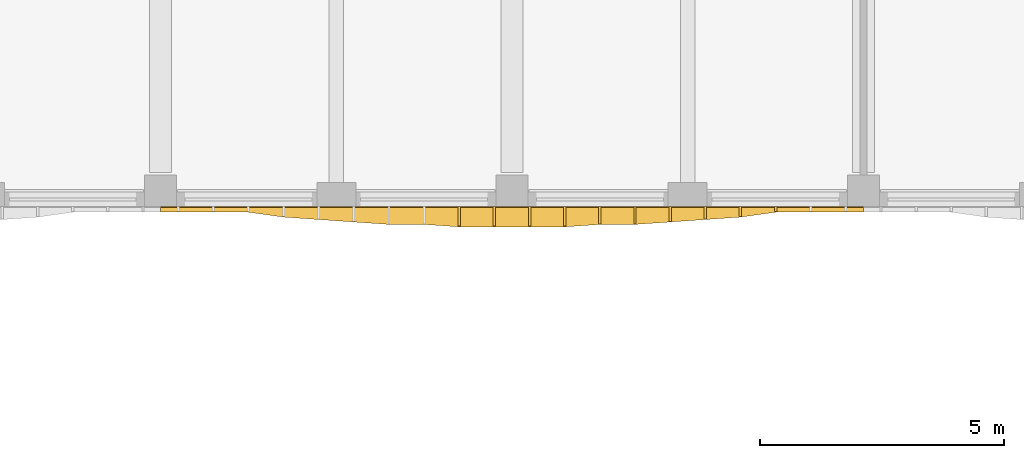
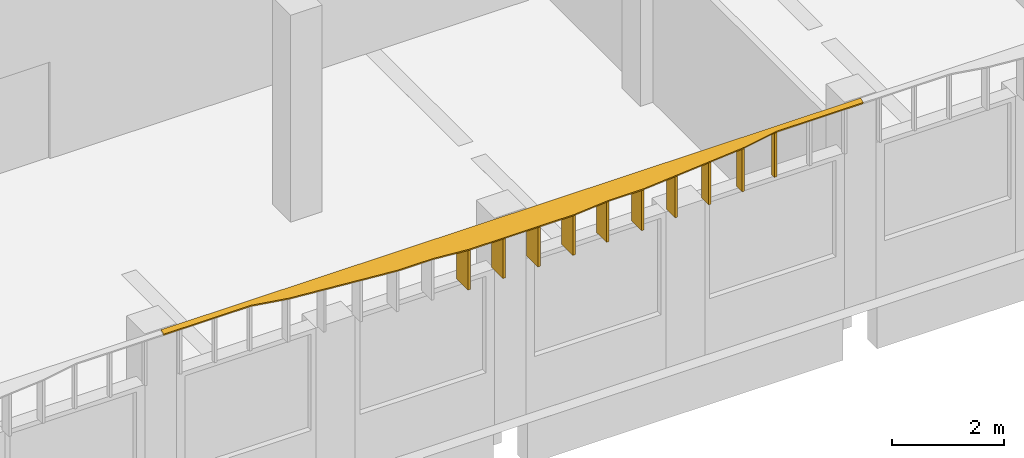
# One storey, part 47 of 58: 11 shading devices.
"""IFC4 building model written with IfcOpenShell, lengths in metres."""

from ifc_helpers import new_model, si_unit, direction, frame, origin, place, context, subcontext, project, spatial, polyline, outline, extrude, material, layer, layer_set, type_object, element, save


model = new_model("IFC4")

# Units and contexts
model_context = context("Model", 3, precision=1e-05, world=origin(), true_north=direction((0.0, 1.0)))
body_context = subcontext(model_context, "Body", "Model", "MODEL_VIEW")
ifc_project = project(units=[si_unit("LENGTHUNIT", "METRE"), si_unit("AREAUNIT", "SQUARE_METRE"), si_unit("VOLUMEUNIT", "CUBIC_METRE"), si_unit("PLANEANGLEUNIT", "RADIAN"), si_unit("MASSUNIT", "GRAM", prefix="KILO")], contexts=[model_context])

# Site, building, storey
site_placement = place(None, origin())
site = spatial("IfcSite", under=ifc_project, at=site_placement, CompositionType="ELEMENT")
building_placement = place(site_placement, origin())
building = spatial("IfcBuilding", under=site, at=building_placement, Name="Ussher Court Research Institute", CompositionType="ELEMENT")
storey_placement = place(building_placement, frame((0.0, 0.0, 9.89990234375)))
storey = spatial("IfcBuildingStorey", under=building, at=storey_placement, Name="L02", CompositionType="ELEMENT", Elevation=9.89990234375)

# Shading devices
ifc_material_1 = material(Name="Bronze anodised aluminium", Category="aluminium")
ifc_layer_1 = layer(ifc_material_1, 0.050048828125)
ifc_layer_set_1 = layer_set([ifc_layer_1], Name="Bronze anodised aluminium")
shading_device_type_1 = type_object("IfcShadingDeviceType", Name="Brim blade 100 mm deep 1000 mm high canted 20 deg dry", PredefinedType="USERDEFINED", material=ifc_layer_set_1)
shading_device_1_placement = place(storey_placement, frame((66.0, 68.39990234375, 3.4501953125), z_axis=(0.0, 0.0, 1.0), x_axis=(0.0, -1.0, 0.0)))
element("IfcShadingDevice", 1, at=shading_device_1_placement, inside=storey, type_object=shading_device_type_1, Name="Brim blade BS17 L02", ObjectType="BLADE", PredefinedType="USERDEFINED", context=body_context, shape_type="SweptSolid", body=[
    extrude(outline(polyline([(0.0, 0.0), (0.099853515625, 0.0), (0.10009765625, 0.963623046875), (0.0, 1.0), (0.0, 0.0)])), frame((0.0, 0.02490234375, 0.0), z_axis=(0.0, -1.0, 0.0), x_axis=(1.0, 0.0, 0.0)), (0.0, 0.0, 1.0), 0.050048828125),
])
ifc_material_2 = material(Name="Bronze anodised aluminium", Category="aluminium")
ifc_layer_2 = layer(ifc_material_2, 0.050048828125)
ifc_layer_set_2 = layer_set([ifc_layer_2], Name="Bronze anodised aluminium")
shading_device_type_2 = type_object("IfcShadingDeviceType", Name="Brim blade 200 mm deep 1000 mm high canted 20 deg dry", PredefinedType="USERDEFINED", material=ifc_layer_set_2)
shading_device_2_placement = place(storey_placement, frame((65.280029296875, 68.39990234375, 3.4501953125), z_axis=(0.0, 0.0, 1.0), x_axis=(0.0, -1.0, 0.0)))
element("IfcShadingDevice", 2, at=shading_device_2_placement, inside=storey, type_object=shading_device_type_2, Name="Brim blade BS15 L02", ObjectType="BLADE", PredefinedType="USERDEFINED", context=body_context, shape_type="SweptSolid", body=[
    extrude(outline(polyline([(0.0, 0.0), (0.199951171875, 0.0), (0.199951171875, 0.927001953125), (0.0, 1.0), (0.0, 0.0)])), frame((0.0, 0.02490234375, 0.0), z_axis=(0.0, -1.0, 0.0), x_axis=(1.0, 0.0, 0.0)), (0.0, 0.0, 1.0), 0.050048828125),
])
ifc_material_3 = material(Name="Bronze anodised aluminium", Category="aluminium")
ifc_layer_3 = layer(ifc_material_3, 0.050048828125)
ifc_layer_set_3 = layer_set([ifc_layer_3], Name="Bronze anodised aluminium")
shading_device_type_3 = type_object("IfcShadingDeviceType", Name="Brim blade 250 mm deep 1000 mm high canted 20 deg dry", PredefinedType="USERDEFINED", material=ifc_layer_set_3)
shading_device_3_placement = place(storey_placement, frame((64.56005859375, 68.39990234375, 3.4501953125), z_axis=(0.0, 0.0, 1.0), x_axis=(0.0, -1.0, 0.0)))
element("IfcShadingDevice", 3, at=shading_device_3_placement, inside=storey, type_object=shading_device_type_3, Name="Brim blade BS14 L02", ObjectType="BLADE", PredefinedType="USERDEFINED", context=body_context, shape_type="SweptSolid", body=[
    extrude(outline(polyline([(0.0, 0.0), (0.25, 0.0), (0.25, 0.908935546875), (0.0, 1.0), (0.0, 0.0)])), frame((0.0, 0.02490234375, 0.0), z_axis=(0.0, -1.0, 0.0), x_axis=(1.0, 0.0, 0.0)), (0.0, 0.0, 1.0), 0.050048828125),
])
ifc_material_4 = material(Name="Bronze anodised aluminium", Category="aluminium")
ifc_layer_4 = layer(ifc_material_4, 0.050048828125)
ifc_layer_set_4 = layer_set([ifc_layer_4], Name="Bronze anodised aluminium")
shading_device_type_4 = type_object("IfcShadingDeviceType", Name="Brim blade 300 mm deep 1000 mm high canted 20 deg dry", PredefinedType="USERDEFINED", material=ifc_layer_set_4)
shading_device_4_placement = place(storey_placement, frame((63.840087890625, 68.39990234375, 3.4501953125), z_axis=(0.0, 0.0, 1.0), x_axis=(0.0, -1.0, 0.0)))
element("IfcShadingDevice", 4, at=shading_device_4_placement, inside=storey, type_object=shading_device_type_4, Name="Brim blade BS13 L02", ObjectType="BLADE", PredefinedType="USERDEFINED", context=body_context, shape_type="SweptSolid", body=[
    extrude(outline(polyline([(0.0, 0.0), (0.2998046875, 0.0), (0.300048828125, 0.890625), (0.0, 1.0), (0.0, 0.0)])), frame((0.0, 0.02490234375, 0.0), z_axis=(0.0, -1.0, 0.0), x_axis=(1.0, 0.0, 0.0)), (0.0, 0.0, 1.0), 0.050048828125),
])
ifc_material_5 = material(Name="Bronze anodised aluminium", Category="aluminium")
ifc_layer_5 = layer(ifc_material_5, 0.050048828125)
ifc_layer_set_5 = layer_set([ifc_layer_5], Name="Bronze anodised aluminium")
shading_device_type_5 = type_object("IfcShadingDeviceType", Name="Brim blade 350 mm deep 1000 mm high canted 20 deg dry", PredefinedType="USERDEFINED", material=ifc_layer_set_5)
for number, where, z_axis, x_axis, name in (
    (5, (63.1201171875, 68.39990234375, 3.4501953125), (0.0, 0.0, 1.0), (0.0, -1.0, 0.0), "Brim blade BS12 L02"),
    (6, (62.39990234375, 68.39990234375, 3.4501953125), (0.0, 0.0, 1.0), (0.0, -1.0, 0.0), "Brim blade BS12 L02"),
):
    element("IfcShadingDevice", number, at=place(storey_placement, frame(where, z_axis=z_axis, x_axis=x_axis)), inside=storey, type_object=shading_device_type_5, Name=name, ObjectType="BLADE", PredefinedType="USERDEFINED", context=body_context, shape_type="SweptSolid", body=[
        extrude(outline(polyline([(0.0, 0.0), (0.349853515625, 0.0), (0.35009765625, 0.87255859375), (0.0, 1.0), (0.0, 0.0)])), frame((0.0, 0.02490234375, 0.0), z_axis=(0.0, -1.0, 0.0), x_axis=(1.0, 0.0, 0.0)), (0.0, 0.0, 1.0), 0.050048828125),
    ])
ifc_material_6 = material(Name="Bronze anodised aluminium", Category="aluminium")
ifc_layer_6 = layer(ifc_material_6, 0.050048828125)
ifc_layer_set_6 = layer_set([ifc_layer_6], Name="Bronze anodised aluminium")
shading_device_type_6 = type_object("IfcShadingDeviceType", Name="Brim blade 400 mm deep 1000 mm high canted 20 deg dry", PredefinedType="USERDEFINED", material=ifc_layer_set_6)
for number, where, z_axis, x_axis, name in (
    (7, (61.679931640625, 68.39990234375, 3.4501953125), (0.0, 0.0, 1.0), (0.0, -1.0, 0.0), "Brim blade BS11 L02"),
    (8, (60.9599609375, 68.39990234375, 3.4501953125), (0.0, 0.0, 1.0), (0.0, -1.0, 0.0), "Brim blade BS11 L02"),
    (9, (60.239990234375, 68.39990234375, 3.4501953125), (0.0, 0.0, 1.0), (0.0, -1.0, 0.0), "Brim blade BS11 L02"),
    (10, (59.52001953125, 68.39990234375, 3.4501953125), (0.0, 0.0, 1.0), (0.0, -1.0, 0.0), "Brim blade BS11 L02"),
):
    element("IfcShadingDevice", number, at=place(storey_placement, frame(where, z_axis=z_axis, x_axis=x_axis)), inside=storey, type_object=shading_device_type_6, Name=name, ObjectType="BLADE", PredefinedType="USERDEFINED", context=body_context, shape_type="SweptSolid", body=[
        extrude(outline(polyline([(0.0, 0.0), (0.39990234375, 0.0), (0.39990234375, 0.854248046875), (0.0, 1.0), (0.0, 0.0)])), frame((0.0, 0.02490234375, 0.0), z_axis=(0.0, -1.0, 0.0), x_axis=(1.0, 0.0, 0.0)), (0.0, 0.0, 1.0), 0.050048828125),
    ])
ifc_material_7 = material(Name="Bronze anodised aluminium", Category="aluminium")
ifc_layer_7 = layer(ifc_material_7, 0.0400390625)
ifc_layer_set_7 = layer_set([ifc_layer_7], Name="Bronze anodised aluminium")
shading_device_type_7 = type_object("IfcShadingDeviceType", Name="Brim visor sheet 40 mm canted 20 deg dry", PredefinedType="USERDEFINED", material=ifc_layer_set_7)
shading_device_5_placement = place(storey_placement, frame((67.800048828125, 68.38623046875, 4.48779296875), z_axis=(0.0, -0.342400471463, 0.939554105489), x_axis=(-1.0, 0.0, 0.0)))
element("IfcShadingDevice", 11, at=shading_device_5_placement, inside=storey, type_object=shading_device_type_7, Name="Brim visor sheet BR2 L02", ObjectType="BRIM", PredefinedType="USERDEFINED", context=body_context, shape_type="SweptSolid", body=[
    extrude(outline(polyline([(0.0, 0.0), (14.400146484375, 0.0), (14.400146484375, 0.10627326645340238), (14.0400390625, 0.10627326645340238), (13.320068359375, 0.10627326645340238), (12.60009765625, 0.10627326645340238), (11.880126953125, 0.2128595100984436), (11.16015625, 0.2660690380558608), (10.43994140625, 0.3193621598783814), (9.719970703125, 0.37234230450926314), (9.0, 0.37234230450926314), (8.280029296875, 0.42563542633178375), (7.56005859375, 0.42563542633178375), (6.840087890625, 0.42563542633178375), (6.1201171875, 0.42563542633178375), (5.400146484375, 0.37234230450926314), (4.679931640625, 0.37234230450926314), (3.9599609375, 0.3193621598783814), (3.239990234375, 0.2660690380558608), (2.52001953125, 0.2128595100984436), (1.800048828125, 0.10627326645340238), (1.080078125, 0.10627326645340238), (0.360107421875, 0.10627326645340238), (0.0, 0.10627326645340238), (0.0, 0.0)])), origin(), (0.0, 0.0, -1.0), 0.0400390625),
])

save(model, "model.ifc")
